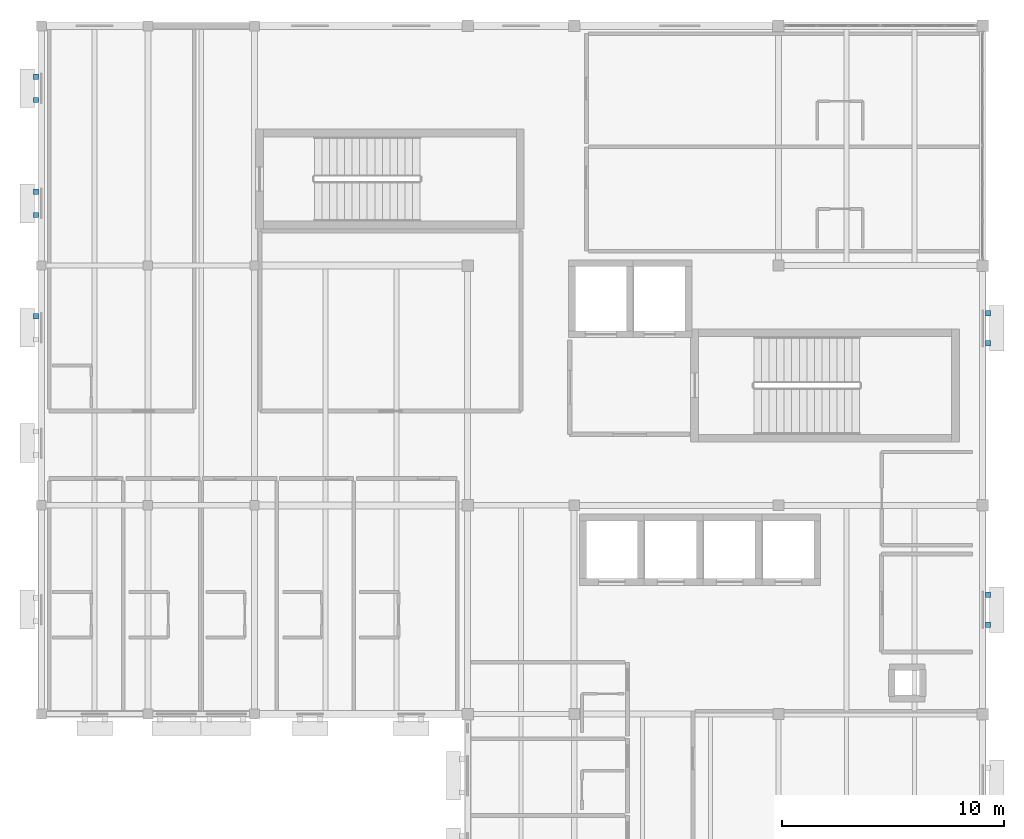
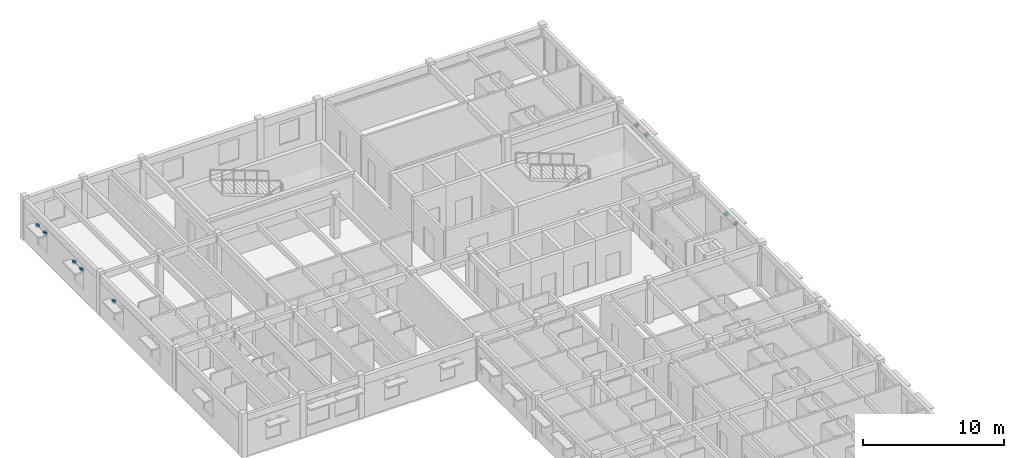
# One storey, part 17 of 20: 9 discrete accessories.
"""IFC4 building model written with IfcOpenShell, lengths in metres."""

from ifc_helpers import new_model, si_unit, direction, frame, origin, origin_2d, place, context, subcontext, project, spatial, rectangle, extrude, material, type_object, element, save


model = new_model("IFC4")

# Units and contexts
model_context = context("Model", 3, precision=1e-05, world=origin(), true_north=direction((0.0, 1.0)))
body_context = subcontext(model_context, "Body", "Model", "MODEL_VIEW")
ifc_project = project(units=[si_unit("LENGTHUNIT", "METRE"), si_unit("AREAUNIT", "SQUARE_METRE"), si_unit("VOLUMEUNIT", "CUBIC_METRE"), si_unit("PLANEANGLEUNIT", "RADIAN"), si_unit("MASSUNIT", "GRAM", prefix="KILO")], contexts=[model_context])

# Site, building, storey
site_placement = place(None, origin())
site = spatial("IfcSite", under=ifc_project, at=site_placement, CompositionType="ELEMENT")
building_placement = place(site_placement, origin())
building = spatial("IfcBuilding", under=site, at=building_placement, Name="Veldera Park Congress Hotel", CompositionType="ELEMENT")
storey_placement = place(building_placement, frame((0.0, 0.0, 27.60009765625)))
storey = spatial("IfcBuildingStorey", under=building, at=storey_placement, Name="L06", CompositionType="ELEMENT", Elevation=27.60009765625)

# Discrete accessories
ifc_material = material(Name="Steel ASTM A992 Gr.50", Category="steel")
discrete_accessory_type = type_object("IfcDiscreteAccessoryType", Name="ACC-BRK160", PredefinedType="BRACKET", material=ifc_material)
for number, where, z_axis, x_axis, name in (
    (1, (84.239990234375, 31.02490234375, 2.6201171875), (0.0, 0.0, 1.0), (0.0, 1.0, 0.0), "Shading Steel Outrigger Bracket 175L"),
    (2, (84.239990234375, 32.375, 2.6201171875), (0.0, 0.0, 1.0), (0.0, 1.0, 0.0), "Shading Steel Outrigger Bracket 175R"),
    (3, (84.239990234375, 43.696044921875, 2.6201171875), (0.0, 0.0, 1.0), (0.0, 1.0, 0.0), "Shading Steel Outrigger Bracket 176L"),
    (4, (84.239990234375, 45.0458984375, 2.6201171875), (0.0, 0.0, 1.0), (0.0, 1.0, 0.0), "Shading Steel Outrigger Bracket 176R"),
    (5, (41.360107421875, 55.709716796875, 2.4697265625), (0.0, 0.0, 1.0), (0.0, -1.0, 0.0), "Shading Steel Outrigger Bracket 177L"),
    (6, (41.360107421875, 54.659912109375, 2.4697265625), (0.0, 0.0, 1.0), (0.0, -1.0, 0.0), "Shading Steel Outrigger Bracket 177R"),
    (7, (41.360107421875, 50.525146484375, 2.4697265625), (0.0, 0.0, 1.0), (0.0, -1.0, 0.0), "Shading Steel Outrigger Bracket 178L"),
    (8, (41.360107421875, 49.47509765625, 2.4697265625), (0.0, 0.0, 1.0), (0.0, -1.0, 0.0), "Shading Steel Outrigger Bracket 178R"),
    (9, (41.360107421875, 44.9208984375, 2.4697265625), (0.0, 0.0, 1.0), (0.0, -1.0, 0.0), "Shading Steel Outrigger Bracket 179L"),
):
    element("IfcDiscreteAccessory", number, at=place(storey_placement, frame(where, z_axis=z_axis, x_axis=x_axis)), inside=storey, type_object=discrete_accessory_type, Name=name, PredefinedType="BRACKET", context=body_context, shape_type="SweptSolid", body=[
        extrude(rectangle(XDim=0.239990234375, YDim=0.239990234375, at=origin_2d()), origin(), (0.0, 0.0, 1.0), 0.219970703125),
    ])

save(model, "model.ifc")
